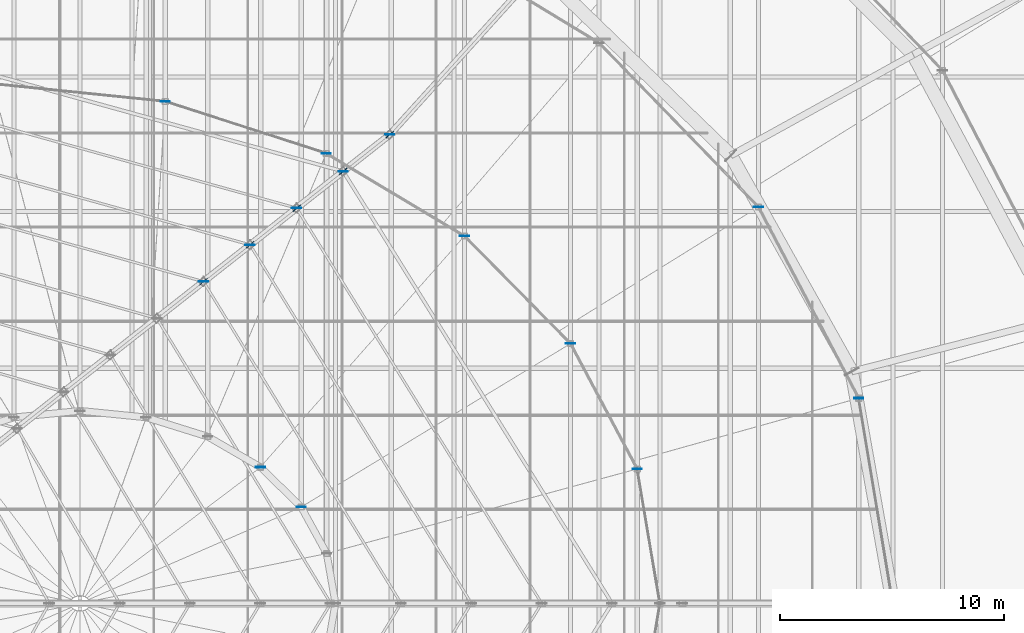
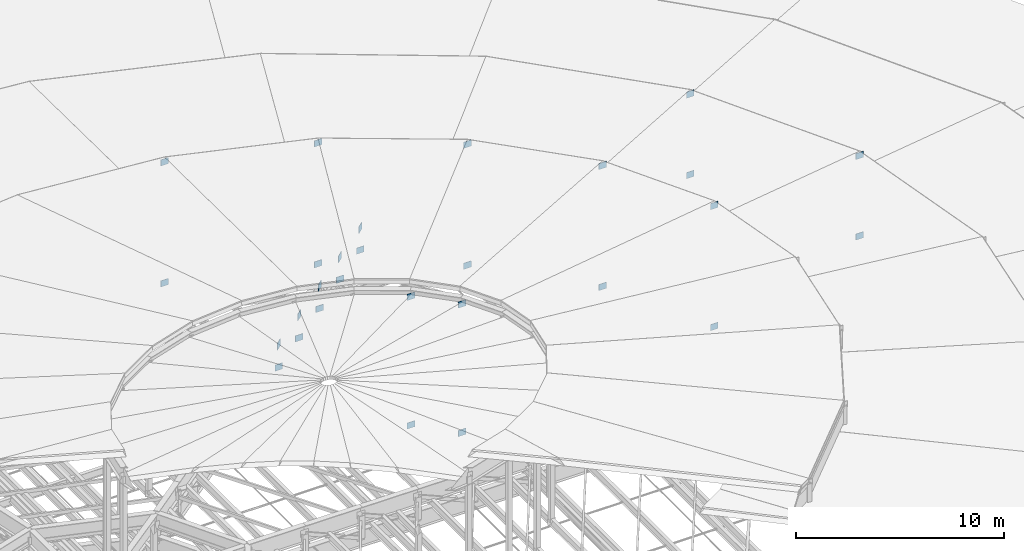
# One storey, part 177 of 184: 28 plates.
"""IFC4 building model written with IfcOpenShell, lengths in metres."""

from ifc_helpers import new_model, si_unit, direction, frame, origin, origin_2d, place, context, subcontext, project, spatial, rectangle, extrude, material, layer, layer_set, type_object, element, save


model = new_model("IFC4")

# Units and contexts
model_context = context("Model", 3, precision=1e-05, world=origin(), true_north=direction((0.0, 1.0)))
body_context = subcontext(model_context, "Body", "Model", "MODEL_VIEW")
ifc_project = project(units=[si_unit("LENGTHUNIT", "METRE"), si_unit("AREAUNIT", "SQUARE_METRE"), si_unit("VOLUMEUNIT", "CUBIC_METRE"), si_unit("PLANEANGLEUNIT", "RADIAN"), si_unit("MASSUNIT", "GRAM", prefix="KILO")], contexts=[model_context])

# Site, building, storey
site_placement = place(None, origin())
site = spatial("IfcSite", under=ifc_project, at=site_placement, CompositionType="ELEMENT")
building_placement = place(site_placement, origin())
building = spatial("IfcBuilding", under=site, at=building_placement, Name="Kalgoora Escarpment Arena", CompositionType="ELEMENT")
storey_placement = place(building_placement, frame((0.0, 0.0, 27.60009765625)))
storey = spatial("IfcBuildingStorey", under=building, at=storey_placement, Name="Roof Level", CompositionType="ELEMENT", Elevation=27.60009765625)

# Plates
ifc_material = material(Name="Structural steel Grade 350 (350 MPa)", Category="steel")
ifc_layer = layer(ifc_material, 0.02490234375)
ifc_layer_set = layer_set([ifc_layer], Name="PLT-GUSSET-25")
plate_type = type_object("IfcPlateType", Name="PLT-GUSSET-25", PredefinedType="USERDEFINED", material=ifc_layer_set)
for number, where, z_axis, x_axis, name in (
    (1, (123.93701171875, 84.930419921875, -0.550048828125), (0.0, 0.0, 1.0), (-0.756081970773, -0.6544769312, 0.0), "Radial ROOF TRUSS node gusset plate S2-1"),
    (2, (121.857421875, 83.289794921875, -0.5400390625), (0.0, 0.0, 1.0), (-0.756081970773, -0.6544769312, 0.0), "Radial ROOF TRUSS node gusset plate S2-2"),
    (3, (119.777587890625, 81.6494140625, -0.530029296875), (0.0, 0.0, 1.0), (-0.756081970773, -0.6544769312, 0.0), "Radial ROOF TRUSS node gusset plate S2-3"),
    (4, (117.69775390625, 80.0087890625, -0.52001953125), (0.0, 0.0, 1.0), (-0.756081970773, -0.6544769312, 0.0), "Radial ROOF TRUSS node gusset plate S2-4"),
    (5, (115.6181640625, 78.368408203125, -0.510009765625), (0.0, 0.0, 1.0), (-0.756081970773, -0.6544769312, 0.0), "Radial ROOF TRUSS node gusset plate S2-5"),
):
    element("IfcPlate", number, at=place(storey_placement, frame(where, z_axis=z_axis, x_axis=x_axis)), inside=storey, type_object=plate_type, Name=name, ObjectType="FLANGE PLATE", PredefinedType="USERDEFINED", context=body_context, shape_type="SweptSolid", body=[
        extrude(rectangle(XDim=0.43994140625, YDim=0.02490234375, at=origin_2d()), origin(), (0.0, 0.0, 1.0), 0.39990234375),
    ])
for number, where, z_axis, x_axis, name in (
    (6, (123.93701171875, 84.930419921875, -1.830078125), (0.0, 0.0, 1.0), (1.0, 0.0, 0.0), "Brace and post end gusset plate 079"),
    (7, (121.857421875, 83.289794921875, -1.8251953125), (0.0, 0.0, 1.0), (1.0, 0.0, 0.0), "Brace and post end gusset plate 080"),
    (8, (119.777587890625, 81.6494140625, -1.8203125), (0.0, 0.0, 1.0), (1.0, 0.0, 0.0), "Brace and post end gusset plate 081"),
    (9, (117.69775390625, 80.0087890625, -1.81494140625), (0.0, 0.0, 1.0), (1.0, 0.0, 0.0), "Brace and post end gusset plate 082"),
    (10, (115.6181640625, 78.368408203125, -1.81005859375), (0.0, 0.0, 1.0), (1.0, 0.0, 0.0), "Brace and post end gusset plate 083"),
    (11, (144.87353515625, 73.162109375, -1.2001953125), (0.0, 0.0, 1.0), (1.0, 0.0, 0.0), "Brace and post end gusset plate 228"),
    (12, (144.87353515625, 73.162109375, 3.52490234375), (0.0, 0.0, 1.0), (1.0, 0.0, 0.0), "Brace and post end gusset plate 229"),
    (13, (140.39794921875, 81.699951171875, -1.2001953125), (0.0, 0.0, 1.0), (1.0, 0.0, 0.0), "Brace and post end gusset plate 230"),
    (14, (140.39794921875, 81.699951171875, 3.52490234375), (0.0, 0.0, 1.0), (1.0, 0.0, 0.0), "Brace and post end gusset plate 231"),
    (15, (134.984619140625, 70.004638671875, -1.14013671875), (0.0, 0.0, 1.0), (1.0, 0.0, 0.0), "Brace and post end gusset plate 276"),
    (16, (134.984619140625, 70.004638671875, 5.96484375), (0.0, 0.0, 1.0), (1.0, 0.0, 0.0), "Brace and post end gusset plate 277"),
    (17, (132.007568359375, 75.60009765625, -1.14013671875), (0.0, 0.0, 1.0), (1.0, 0.0, 0.0), "Brace and post end gusset plate 278"),
    (18, (132.007568359375, 75.60009765625, 5.96484375), (0.0, 0.0, 1.0), (1.0, 0.0, 0.0), "Brace and post end gusset plate 279"),
    (19, (127.271728515625, 80.40478515625, -1.14013671875), (0.0, 0.0, 1.0), (1.0, 0.0, 0.0), "Brace and post end gusset plate 280"),
    (20, (127.271728515625, 80.40478515625, 5.96484375), (0.0, 0.0, 1.0), (1.0, 0.0, 0.0), "Brace and post end gusset plate 281"),
    (21, (121.10009765625, 84.091796875, -1.14013671875), (0.0, 0.0, 1.0), (1.0, 0.0, 0.0), "Brace and post end gusset plate 282"),
    (22, (121.10009765625, 84.091796875, 5.96484375), (0.0, 0.0, 1.0), (1.0, 0.0, 0.0), "Brace and post end gusset plate 283"),
    (23, (113.912841796875, 86.409423828125, -1.14013671875), (0.0, 0.0, 1.0), (1.0, 0.0, 0.0), "Brace and post end gusset plate 284"),
    (24, (113.912841796875, 86.409423828125, 5.96484375), (0.0, 0.0, 1.0), (1.0, 0.0, 0.0), "Brace and post end gusset plate 285"),
    (25, (119.982666015625, 68.300048828125, -1.080078125), (0.0, 0.0, 1.0), (1.0, 0.0, 0.0), "Brace and post end gusset plate 326"),
    (26, (119.982666015625, 68.300048828125, 6.4697265625), (0.0, 0.0, 1.0), (1.0, 0.0, 0.0), "Brace and post end gusset plate 327"),
    (27, (118.1708984375, 70.0810546875, -1.080078125), (0.0, 0.0, 1.0), (1.0, 0.0, 0.0), "Brace and post end gusset plate 328"),
    (28, (118.1708984375, 70.0810546875, 6.4697265625), (0.0, 0.0, 1.0), (1.0, 0.0, 0.0), "Brace and post end gusset plate 329"),
):
    element("IfcPlate", number, at=place(storey_placement, frame(where, z_axis=z_axis, x_axis=x_axis)), inside=storey, type_object=plate_type, Name=name, ObjectType="FLANGE PLATE", PredefinedType="USERDEFINED", context=body_context, shape_type="SweptSolid", body=[
        extrude(rectangle(XDim=0.419921875, YDim=0.02490234375, at=origin_2d()), origin(), (0.0, 0.0, 1.0), 0.360107421875),
    ])

save(model, "model.ifc")
